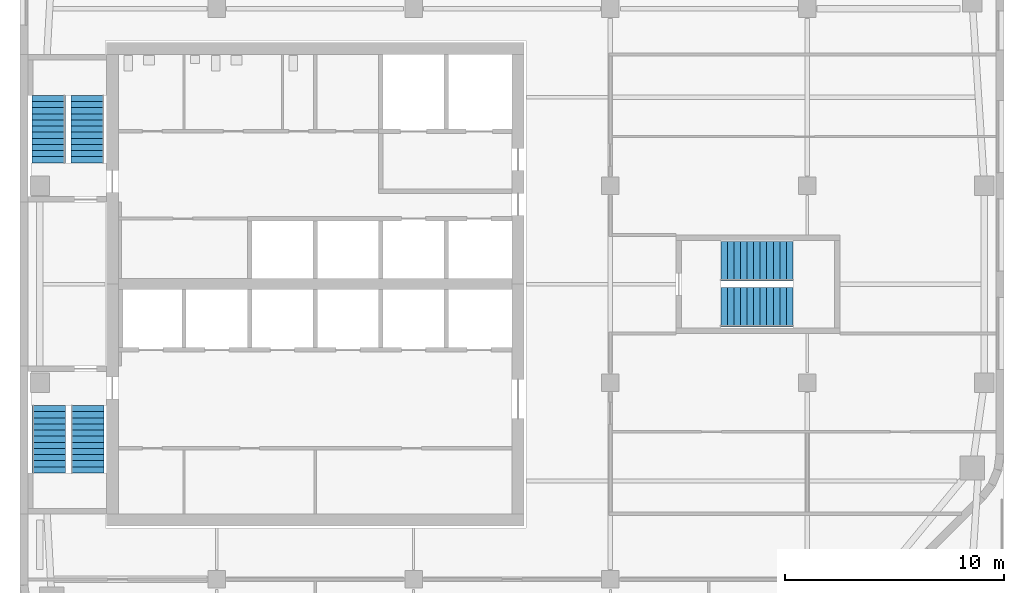
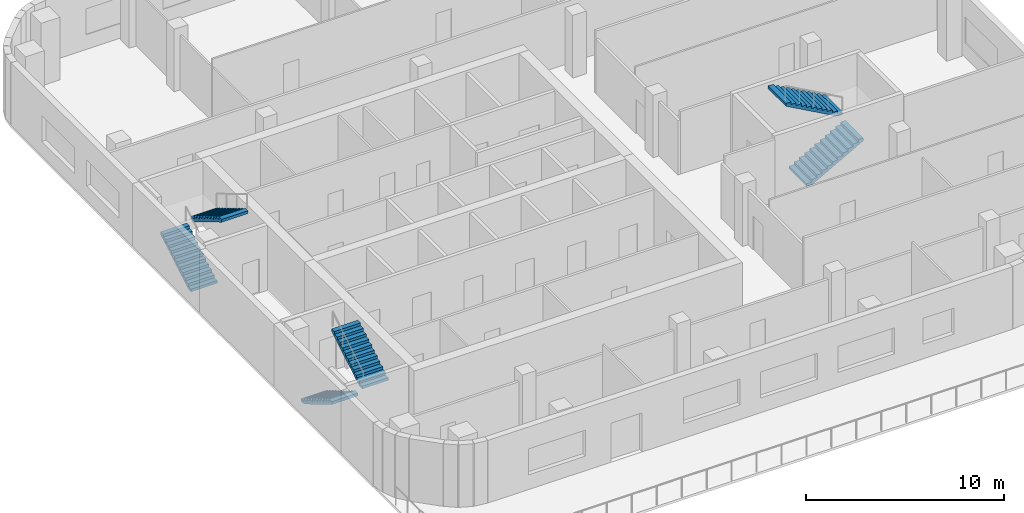
# One storey, part 6 of 8: 6 stair flights, 3 elements without a shape of their own.
"""IFC4 building model written with IfcOpenShell, lengths in metres."""

from ifc_helpers import new_model, si_unit, direction, frame, origin, place, context, subcontext, project, spatial, polyline, outline, extrude, material, type_object, element, aggregate, save


model = new_model("IFC4")

# Units and contexts
model_context = context("Model", 3, precision=1e-05, world=origin(), true_north=direction((0.0, 1.0)))
body_context = subcontext(model_context, "Body", "Model", "MODEL_VIEW")
ifc_project = project(units=[si_unit("LENGTHUNIT", "METRE"), si_unit("AREAUNIT", "SQUARE_METRE"), si_unit("VOLUMEUNIT", "CUBIC_METRE"), si_unit("PLANEANGLEUNIT", "RADIAN"), si_unit("MASSUNIT", "GRAM", prefix="KILO")], contexts=[model_context])

# Site, building, storey
site_placement = place(None, origin())
site = spatial("IfcSite", under=ifc_project, at=site_placement, CompositionType="ELEMENT")
building_placement = place(site_placement, origin())
building = spatial("IfcBuilding", under=site, at=building_placement, Name="Cinnabar Reach Civic Tower", CompositionType="ELEMENT")
storey_placement = place(building_placement, frame((0.0, 0.0, 198.0)))
storey = spatial("IfcBuildingStorey", under=building, at=storey_placement, Name="L47", CompositionType="ELEMENT", Elevation=198.0)

# Stair, stair flights
ifc_material = material(Name="Concrete C40/50", Category="concrete")
stair_type = type_object("IfcStairType", Name="T1 Exit stair, half-turn", PredefinedType="HALF_TURN_STAIR", material=ifc_material)
stair_1_placement = place(storey_placement, origin())
stair_1 = element("IfcStair", 1, at=stair_1_placement, inside=storey, type_object=stair_type, Name="Stair T1-S1", PredefinedType="HALF_TURN_STAIR")
stair_flight_type = type_object("IfcStairFlightType", Name="T1 Stair flight, concrete", PredefinedType="STRAIGHT", material=ifc_material)
stair_flight_1_placement = place(storey_placement, frame((1.3125, 25.95, 0.0), z_axis=(0.0, 0.0, 1.0), x_axis=(0.0, -1.0, 0.0)))
stair_flight_1 = element("IfcStairFlight", 2, at=stair_flight_1_placement, type_object=stair_flight_type, Name="T1-S1 flight 1", NumberOfRisers=12, NumberOfTreads=11, PredefinedType="STRAIGHT", RiserHeight=0.166666667, TreadLength=0.28, context=body_context, shape_type="SweptSolid", body=[
    extrude(outline(polyline([(0.0, 0.0), (0.0, 0.1667), (0.28, 0.1667), (0.28, 0.3333), (0.56, 0.3333), (0.56, 0.5), (0.84, 0.5), (0.84, 0.6667), (1.12, 0.6667), (1.12, 0.8333), (1.4, 0.8333), (1.4, 1.0), (1.68, 1.0), (1.68, 1.1667), (1.96, 1.1667), (1.96, 1.3333), (2.24, 1.3333), (2.24, 1.5), (2.52, 1.5), (2.52, 1.6667), (2.8, 1.6667), (2.8, 1.8333), (3.08, 1.8333), (3.08, 2.0), (3.08, 1.6588), (0.2933, 0.0), (0.0, 0.0)])), frame((0.0, 0.7625, 0.0), z_axis=(0.0, -1.0, 0.0), x_axis=(1.0, 0.0, 0.0)), (0.0, 0.0, 1.0), 1.525),
])
stair_flight_2_placement = place(storey_placement, frame((3.0875, 22.87, 2.0), z_axis=(0.0, 0.0, 1.0), x_axis=(0.0, 1.0, 0.0)))
stair_flight_2 = element("IfcStairFlight", 3, at=stair_flight_2_placement, type_object=stair_flight_type, Name="T1-S1 flight 2", NumberOfRisers=12, NumberOfTreads=11, PredefinedType="STRAIGHT", RiserHeight=0.166666667, TreadLength=0.28, context=body_context, shape_type="SweptSolid", body=[
    extrude(outline(polyline([(0.0, 0.0), (0.0, 0.1667), (0.28, 0.1667), (0.28, 0.3333), (0.56, 0.3333), (0.56, 0.5), (0.84, 0.5), (0.84, 0.6667), (1.12, 0.6667), (1.12, 0.8333), (1.4, 0.8333), (1.4, 1.0), (1.68, 1.0), (1.68, 1.1667), (1.96, 1.1667), (1.96, 1.3333), (2.24, 1.3333), (2.24, 1.5), (2.52, 1.5), (2.52, 1.6667), (2.8, 1.6667), (2.8, 1.8333), (3.08, 1.8333), (3.08, 2.0), (3.08, 1.6588), (0.2933, 0.0), (0.0, 0.0)])), frame((0.0, 0.7625, 0.0), z_axis=(0.0, -1.0, 0.0), x_axis=(1.0, 0.0, 0.0)), (0.0, 0.0, 1.0), 1.525),
])
aggregate(stair_1, [stair_flight_1, stair_flight_2])

stair_2_placement = place(storey_placement, origin())
stair_2 = element("IfcStair", 4, at=stair_2_placement, inside=storey, type_object=stair_type, Name="Stair T1-S2", PredefinedType="HALF_TURN_STAIR")
stair_flight_3_placement = place(storey_placement, frame((1.3125, 37.05, 0.0), z_axis=(0.0, 0.0, 1.0), x_axis=(0.0, 1.0, 0.0)))
stair_flight_3 = element("IfcStairFlight", 5, at=stair_flight_3_placement, type_object=stair_flight_type, Name="T1-S2 flight 1", NumberOfRisers=12, NumberOfTreads=11, PredefinedType="STRAIGHT", RiserHeight=0.166666667, TreadLength=0.28, context=body_context, shape_type="SweptSolid", body=[
    extrude(outline(polyline([(0.0, 0.0), (0.0, 0.1667), (0.28, 0.1667), (0.28, 0.3333), (0.56, 0.3333), (0.56, 0.5), (0.84, 0.5), (0.84, 0.6667), (1.12, 0.6667), (1.12, 0.8333), (1.4, 0.8333), (1.4, 1.0), (1.68, 1.0), (1.68, 1.1667), (1.96, 1.1667), (1.96, 1.3333), (2.24, 1.3333), (2.24, 1.5), (2.52, 1.5), (2.52, 1.6667), (2.8, 1.6667), (2.8, 1.8333), (3.08, 1.8333), (3.08, 2.0), (3.08, 1.6588), (0.2933, 0.0), (0.0, 0.0)])), frame((0.0, 0.7625, 0.0), z_axis=(0.0, -1.0, 0.0), x_axis=(1.0, 0.0, 0.0)), (0.0, 0.0, 1.0), 1.525),
])
stair_flight_4_placement = place(storey_placement, frame((3.0875, 40.13, 2.0), z_axis=(0.0, 0.0, 1.0), x_axis=(0.0, -1.0, 0.0)))
stair_flight_4 = element("IfcStairFlight", 6, at=stair_flight_4_placement, type_object=stair_flight_type, Name="T1-S2 flight 2", NumberOfRisers=12, NumberOfTreads=11, PredefinedType="STRAIGHT", RiserHeight=0.166666667, TreadLength=0.28, context=body_context, shape_type="SweptSolid", body=[
    extrude(outline(polyline([(0.0, 0.0), (0.0, 0.1667), (0.28, 0.1667), (0.28, 0.3333), (0.56, 0.3333), (0.56, 0.5), (0.84, 0.5), (0.84, 0.6667), (1.12, 0.6667), (1.12, 0.8333), (1.4, 0.8333), (1.4, 1.0), (1.68, 1.0), (1.68, 1.1667), (1.96, 1.1667), (1.96, 1.3333), (2.24, 1.3333), (2.24, 1.5), (2.52, 1.5), (2.52, 1.6667), (2.8, 1.6667), (2.8, 1.8333), (3.08, 1.8333), (3.08, 2.0), (3.08, 1.6588), (0.2933, 0.0), (0.0, 0.0)])), frame((0.0, 0.7625, 0.0), z_axis=(0.0, -1.0, 0.0), x_axis=(1.0, 0.0, 0.0)), (0.0, 0.0, 1.0), 1.525),
])
aggregate(stair_2, [stair_flight_3, stair_flight_4])

stair_3_placement = place(storey_placement, origin())
stair_3 = element("IfcStair", 7, at=stair_3_placement, inside=storey, type_object=stair_type, Name="Stair T1-S3", PredefinedType="HALF_TURN_STAIR")
stair_flight_5_placement = place(storey_placement, frame((32.05, 30.45, 0.0), z_axis=(0.0, 0.0, 1.0), x_axis=(1.0, 0.0, 0.0)))
stair_flight_5 = element("IfcStairFlight", 8, at=stair_flight_5_placement, type_object=stair_flight_type, Name="T1-S3 flight 1", NumberOfRisers=12, NumberOfTreads=11, PredefinedType="STRAIGHT", RiserHeight=0.166666667, TreadLength=0.3, context=body_context, shape_type="SweptSolid", body=[
    extrude(outline(polyline([(0.0, 0.0), (0.0, 0.1667), (0.3, 0.1667), (0.3, 0.3333), (0.6, 0.3333), (0.6, 0.5), (0.9, 0.5), (0.9, 0.6667), (1.2, 0.6667), (1.2, 0.8333), (1.5, 0.8333), (1.5, 1.0), (1.8, 1.0), (1.8, 1.1667), (2.1, 1.1667), (2.1, 1.3333), (2.4, 1.3333), (2.4, 1.5), (2.7, 1.5), (2.7, 1.6667), (3.0, 1.6667), (3.0, 1.8333), (3.3, 1.8333), (3.3, 2.0), (3.3, 1.6617), (0.3089, 0.0), (0.0, 0.0)])), frame((0.0, 0.9, 0.0), z_axis=(0.0, -1.0, 0.0), x_axis=(1.0, 0.0, 0.0)), (0.0, 0.0, 1.0), 1.8),
])
stair_flight_6_placement = place(storey_placement, frame((35.35, 32.55, 2.0), z_axis=(0.0, 0.0, 1.0), x_axis=(-1.0, 0.0, 0.0)))
stair_flight_6 = element("IfcStairFlight", 9, at=stair_flight_6_placement, type_object=stair_flight_type, Name="T1-S3 flight 2", NumberOfRisers=12, NumberOfTreads=11, PredefinedType="STRAIGHT", RiserHeight=0.166666667, TreadLength=0.3, context=body_context, shape_type="SweptSolid", body=[
    extrude(outline(polyline([(0.0, 0.0), (0.0, 0.1667), (0.3, 0.1667), (0.3, 0.3333), (0.6, 0.3333), (0.6, 0.5), (0.9, 0.5), (0.9, 0.6667), (1.2, 0.6667), (1.2, 0.8333), (1.5, 0.8333), (1.5, 1.0), (1.8, 1.0), (1.8, 1.1667), (2.1, 1.1667), (2.1, 1.3333), (2.4, 1.3333), (2.4, 1.5), (2.7, 1.5), (2.7, 1.6667), (3.0, 1.6667), (3.0, 1.8333), (3.3, 1.8333), (3.3, 2.0), (3.3, 1.6617), (0.3089, 0.0), (0.0, 0.0)])), frame((0.0, 0.9, 0.0), z_axis=(0.0, -1.0, 0.0), x_axis=(1.0, 0.0, 0.0)), (0.0, 0.0, 1.0), 1.8),
])
aggregate(stair_3, [stair_flight_5, stair_flight_6])

save(model, "model.ifc")
